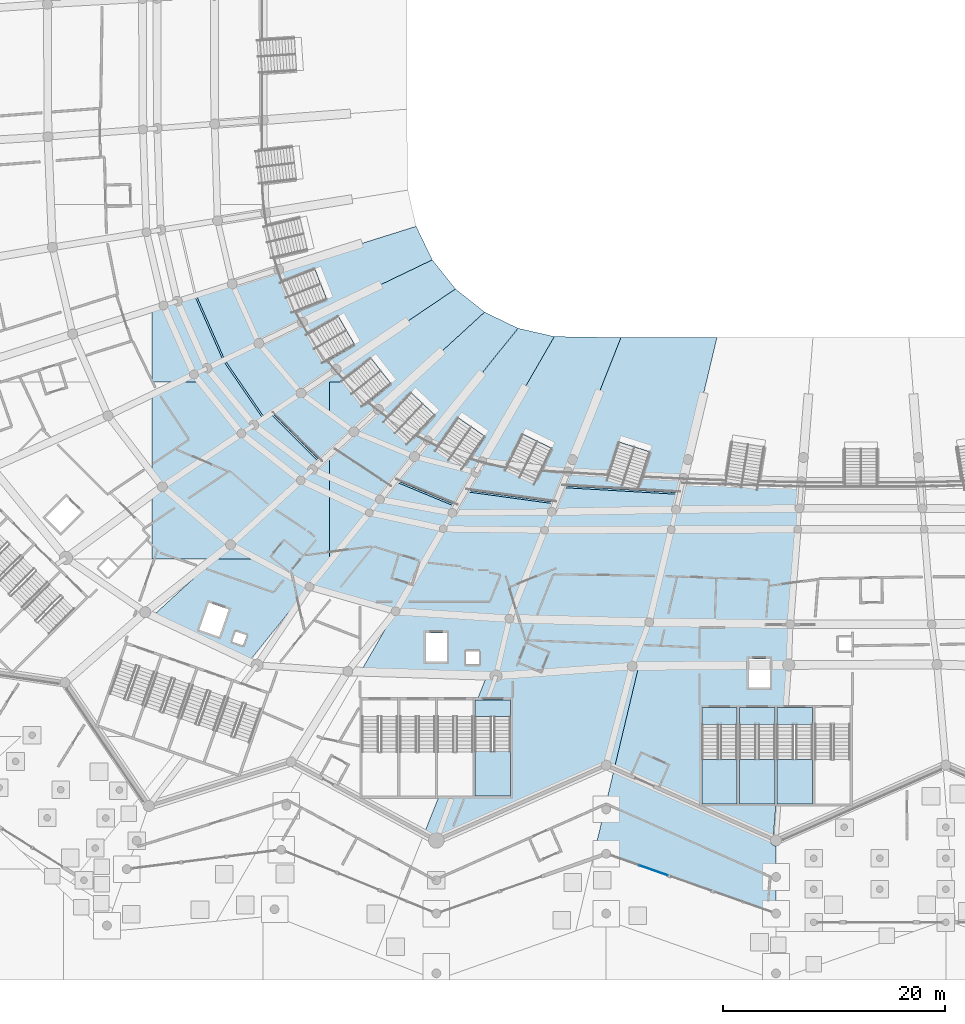
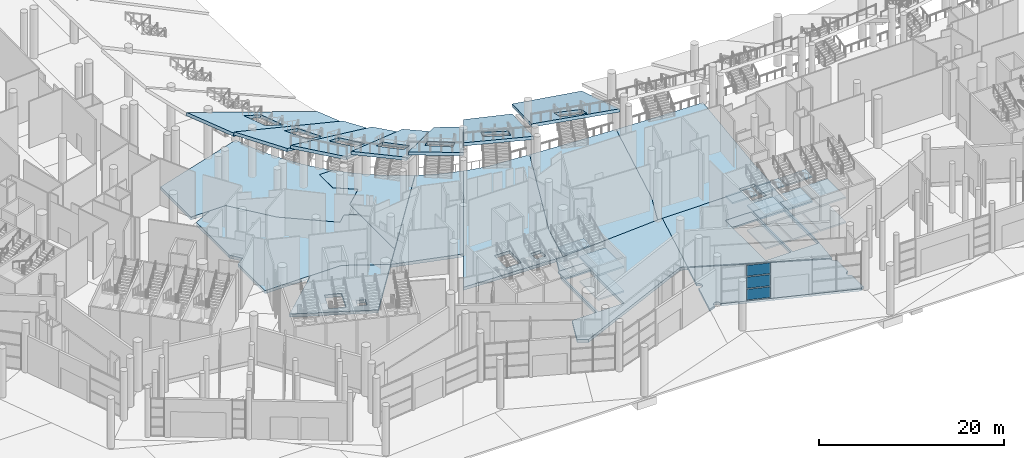
# One storey, part 73 of 255: 34 slabs, 3 plates, 5 elements without a shape of their own.
"""IFC4 building model written with IfcOpenShell, lengths in metres."""

import ifcopenshell
import ifcopenshell.guid

model = None  # the IFC model being written
_history = None  # IfcOwnerHistory: only IFC2X3 demands one
_inside = {}  # id of a spatial element -> (the spatial element, [elements in it])
_under = {}  # id of a project, library or spatial element -> (it, [spatial elements below it])
_declared = {}  # id of a project -> (the project, [libraries it declares])
_typed = {}  # id of a type object -> (the type object, [elements of that type])
_made_of = {}  # id of a material, layer set ... -> (it, [elements and type objects made of it])


def new_model(schema):
    """Start an empty IFC model of exactly this schema.

    Asked for "IFC4X3", IfcOpenShell would pick the latest addendum, in which some entities
    have other attributes; the version numbers below select the first issue.
    IFC2X3 requires an IfcOwnerHistory on every rooted entity: one is made here for all.
    """
    global model, _history
    if schema == "IFC4X3":
        model = ifcopenshell.file(schema_version=(4, 3, 0, 0))
    else:
        model = ifcopenshell.file(schema=schema)
    _inside.clear()
    _under.clear()
    _declared.clear()
    _typed.clear()
    _made_of.clear()
    _history = None
    if model.schema == "IFC2X3":
        org = make("IfcOrganization", Name="unknown")
        user = make(
            "IfcPersonAndOrganization",
            ThePerson=make("IfcPerson", FamilyName="unknown"),
            TheOrganization=org,
        )
        app = make(
            "IfcApplication",
            ApplicationDeveloper=org,
            Version="unknown",
            ApplicationFullName="unknown",
            ApplicationIdentifier="unknown",
        )
        _history = make(
            "IfcOwnerHistory",
            OwningUser=user,
            OwningApplication=app,
            ChangeAction="ADDED",
            CreationDate=0,
        )
    return model


def make(cls, **values):
    """One entity of the class cls with the attributes given. An attribute that is None is left unset."""
    return model.create_entity(
        cls, **{name: value for name, value in values.items() if value is not None}
    )


def rooted(cls, **values):
    """An entity with a GlobalId (a new one), such as an element, a storey or a relation."""
    return make(cls, GlobalId=ifcopenshell.guid.new(), OwnerHistory=_history, **values)


def si_unit(unit_type, name, prefix=None):
    """IfcSIUnit, for example si_unit("LENGTHUNIT", "METRE", prefix="MILLI")."""
    return make("IfcSIUnit", UnitType=unit_type, Prefix=prefix, Name=name)


def assignment(units):
    """IfcUnitAssignment: the units of a project."""
    return None if units is None else make("IfcUnitAssignment", Units=units)


def point(xyz):
    """IfcCartesianPoint."""
    return None if xyz is None else make("IfcCartesianPoint", Coordinates=xyz)


def direction(xyz):
    """IfcDirection."""
    return None if xyz is None else make("IfcDirection", DirectionRatios=xyz)


def frame(location, z_axis=None, x_axis=None):
    """IfcAxis2Placement3D, a coordinate frame: its origin and axes. An axis left out is left unset."""
    return make(
        "IfcAxis2Placement3D",
        Location=point(location),
        Axis=direction(z_axis),
        RefDirection=direction(x_axis),
    )


def frame_2d(location, x_axis=None):
    """IfcAxis2Placement2D, a coordinate frame in the plane: its origin and x axis."""
    return make(
        "IfcAxis2Placement2D", Location=point(location), RefDirection=direction(x_axis)
    )


def origin():
    """The frame at (0, 0, 0) with its axes left unset."""
    return frame((0.0, 0.0, 0.0))


def origin_2d():
    """The frame at (0, 0) in the plane with its x axis left unset."""
    return frame_2d((0.0, 0.0))


def place(relative_to, where):
    """IfcLocalPlacement: puts the frame where relative to a parent placement (None: the world)."""
    return make(
        "IfcLocalPlacement", PlacementRelTo=relative_to, RelativePlacement=where
    )


def context(
    kind, dimensions, precision=None, world=None, true_north=None, identifier=None
):
    """IfcGeometricRepresentationContext, for example the 3D "Model" context."""
    return make(
        "IfcGeometricRepresentationContext",
        ContextIdentifier=identifier,
        ContextType=kind,
        CoordinateSpaceDimension=dimensions,
        Precision=precision,
        WorldCoordinateSystem=world,
        TrueNorth=true_north,
    )


def subcontext(parent, identifier, kind, view, scale=None):
    """IfcGeometricRepresentationSubContext, for example "Body" below "Model"."""
    return make(
        "IfcGeometricRepresentationSubContext",
        ContextIdentifier=identifier,
        ContextType=kind,
        ParentContext=parent,
        TargetScale=scale,
        TargetView=view,
    )


def project(units=None, contexts=None):
    """IfcProject with its units and contexts."""
    return rooted(
        "IfcProject",
        Name="project",
        RepresentationContexts=contexts,
        UnitsInContext=assignment(units),
    )


def spatial(cls, under=None, at=None, **own):
    """A site, building, storey or space (cls), placed at a placement, below another one or the project."""
    s = rooted(cls, ObjectPlacement=at, **own)
    if under is not None:
        _under.setdefault(under.id(), (under, []))[1].append(s)
    return s


def polyline(points):
    """IfcPolyline through the points."""
    return make("IfcPolyline", Points=[point(p) for p in points])


def profile(cls, at=None, kind="AREA", **sizes):
    """A parametric profile (cls). Its sizes go by their IFC names, for example OverallWidth=200.0."""
    return make(cls, ProfileType=kind, Position=at, **sizes)


def rectangle(**sizes):
    """IfcRectangleProfileDef."""
    return profile("IfcRectangleProfileDef", **sizes)


def outline(outer, holes=None, kind="AREA"):
    """IfcArbitraryClosedProfileDef: a profile drawn as a closed curve; with holes, ...WithVoids."""
    if holes is None:
        return make("IfcArbitraryClosedProfileDef", ProfileType=kind, OuterCurve=outer)
    return make(
        "IfcArbitraryProfileDefWithVoids",
        ProfileType=kind,
        OuterCurve=outer,
        InnerCurves=holes,
    )


def extrude(swept, where, along, depth):
    """IfcExtrudedAreaSolid: the profile swept, set in the frame where, extruded along a direction by depth."""
    return make(
        "IfcExtrudedAreaSolid",
        SweptArea=swept,
        Position=where,
        ExtrudedDirection=direction(along),
        Depth=depth,
    )


def shape(context_of_items, identifier, shape_type, items):
    """IfcShapeRepresentation: the items that make up one representation, for example the "Body"."""
    return make(
        "IfcShapeRepresentation",
        ContextOfItems=context_of_items,
        RepresentationIdentifier=identifier,
        RepresentationType=shape_type,
        Items=items,
    )


def material(Name=None, Category=None):
    """IfcMaterial."""
    return make("IfcMaterial", Name=Name, Category=Category)


def layer(
    of_material, thickness, ventilated=None, Name=None, Category=None, Priority=None
):
    """IfcMaterialLayer: one layer of a wall or slab, of a material (None: an air gap)."""
    return make(
        "IfcMaterialLayer",
        Material=of_material,
        LayerThickness=thickness,
        IsVentilated=ventilated,
        Name=Name,
        Category=Category,
        Priority=Priority,
    )


def layer_set(layers, Name=None):
    """IfcMaterialLayerSet."""
    return make("IfcMaterialLayerSet", MaterialLayers=layers, LayerSetName=Name)


def made_of(thing, what):
    """Note that an element or type object is made of a material, layer set ...; save() writes the relation."""
    if what is not None:
        _made_of.setdefault(what.id(), (what, []))[1].append(thing)
    return thing


def type_object(cls, material=None, **own):
    """A type object (cls), such as IfcWallType, which elements share."""
    return made_of(rooted(cls, **own), material)


def element(
    cls,
    number,
    at=None,
    inside=None,
    cuts=None,
    type_object=None,
    material=None,
    context=None,
    identifier="Body",
    shape_type=None,
    held_by="IfcProductDefinitionShape",
    body=None,
    shapes=None,
    **own,
):
    """One element of the class cls, such as IfcWall. Its Tag is "e" and its number.

    at: its placement. inside: the storey or other place that contains it. cuts: it is an
    opening in that element (IfcRelVoidsElement). A single representation is given by context,
    identifier, shape_type and body (its items); several are given by shapes. held_by: the class
    of the entity that holds the representations. save() writes the other relations.
    """
    e = rooted(cls, Tag="e%d" % number, ObjectPlacement=at, **own)
    if body is not None:
        shapes = [shape(context, identifier, shape_type, body)]
    if shapes is not None:
        e.Representation = make(held_by, Representations=shapes)
    if inside is not None:
        _inside.setdefault(inside.id(), (inside, []))[1].append(e)
    if cuts is not None:
        rooted(
            "IfcRelVoidsElement", RelatingBuildingElement=cuts, RelatedOpeningElement=e
        )
    if type_object is not None:
        _typed.setdefault(type_object.id(), (type_object, []))[1].append(e)
    return made_of(e, material)


def aggregate(whole, parts):
    """IfcRelAggregates: a whole, such as a stair, and the parts it consists of."""
    return rooted("IfcRelAggregates", RelatingObject=whole, RelatedObjects=parts)


def save(model, path):
    """Write the relations noted so far, then the file.

    IfcRelAggregates (storeys below a building ...), IfcRelContainedInSpatialStructure (elements
    in a storey), IfcRelDefinesByType, IfcRelAssociatesMaterial and IfcRelDeclares: one each for
    every whole, place, type object, material and project.
    """
    for whole, parts in _under.values():
        aggregate(whole, parts)
    for where, things in _inside.values():
        rooted(
            "IfcRelContainedInSpatialStructure",
            RelatedElements=things,
            RelatingStructure=where,
        )
    for kind, things in _typed.values():
        rooted("IfcRelDefinesByType", RelatedObjects=things, RelatingType=kind)
    for what, things in _made_of.values():
        rooted("IfcRelAssociatesMaterial", RelatedObjects=things, RelatingMaterial=what)
    for by, libraries in _declared.values():
        rooted("IfcRelDeclares", RelatingContext=by, RelatedDefinitions=libraries)
    model.write(path)


model = new_model("IFC4")

# Units and contexts
model_context = context("Model", 3, precision=1e-05, world=origin(), true_north=direction((0.0, 1.0)))
body_context = subcontext(model_context, "Body", "Model", "MODEL_VIEW")
ifc_project = project(units=[si_unit("LENGTHUNIT", "METRE"), si_unit("AREAUNIT", "SQUARE_METRE"), si_unit("VOLUMEUNIT", "CUBIC_METRE"), si_unit("PLANEANGLEUNIT", "RADIAN"), si_unit("MASSUNIT", "GRAM", prefix="KILO")], contexts=[model_context])

# Site, building, storey
site_placement = place(None, origin())
site = spatial("IfcSite", under=ifc_project, at=site_placement, CompositionType="ELEMENT")
building_placement = place(site_placement, origin())
building = spatial("IfcBuilding", under=site, at=building_placement, Name="Meseta Stadium", CompositionType="ELEMENT")
storey_placement = place(building_placement, origin())
storey = spatial("IfcBuildingStorey", under=building, at=storey_placement, Name="L00", CompositionType="ELEMENT", Elevation=0.0)

# Slabs
ifc_material_1 = material(Name="Concrete C40/50", Category="concrete")
ifc_layer_1 = layer(ifc_material_1, 0.39990234375)
ifc_layer_set_1 = layer_set([ifc_layer_1], Name="Floor slab 400")
slab_type_1 = type_object("IfcSlabType", Name="Floor slab 400", PredefinedType="FLOOR", material=ifc_layer_set_1)
slab_1_placement = place(storey_placement, frame((0.0, 0.0, -0.39990234375)))
element("IfcSlab", 1, at=slab_1_placement, inside=storey, type_object=slab_type_1, Name="Floor slab L00 sector 35 panel 17", PredefinedType="FLOOR", context=body_context, shape_type="SweptSolid", body=[
    extrude(outline(polyline([(-49.800048828125, -82.493896484375), (-47.787353515625, -80.0), (-48.0, -80.0), (-48.0, -72.59619140625), (-49.518310546875, -71.924560546875), (-50.571533203125, -72.888916015625), (-55.940185546875, -68.658203125), (-59.68408203125, -64.0), (-61.614013671875, -64.0), (-64.0, -65.1474609375), (-64.0, -72.251708984375), (-63.068115234375, -73.469970703125), (-64.0, -74.15673828125), (-64.0, -80.0), (-54.4716796875, -80.0), (-49.800048828125, -82.493896484375)])), origin(), (0.0, 0.0, 1.0), 0.39990234375),
])
slab_2_placement = place(storey_placement, frame((0.0, 0.0, -0.39990234375)))
element("IfcSlab", 2, at=slab_2_placement, inside=storey, type_object=slab_type_1, Name="Floor slab L00 sector 35 panel 18", PredefinedType="FLOOR", context=body_context, shape_type="SweptSolid", body=[
    extrude(outline(polyline([(-63.932373046875, -85.119384765625), (-55.242919921875, -89.238037109375), (-49.800048828125, -82.493896484375), (-54.4716796875, -80.0), (-58.33984375, -80.0), (-63.932373046875, -85.119384765625)]), holes=[polyline([(-58.876953125, -83.924072265625), (-57.08349609375, -84.551513671875), (-57.9423828125, -87.005615234375), (-59.735595703125, -86.378173828125), (-58.876953125, -83.924072265625)]), polyline([(-56.44873046875, -86.521728515625), (-55.45751953125, -86.86865234375), (-55.787841796875, -87.8125), (-56.779052734375, -87.4658203125), (-56.44873046875, -86.521728515625)])]), origin(), (0.0, 0.0, 1.0), 0.39990234375),
])
slab_3_placement = place(storey_placement, frame((0.0, 0.0, -0.39990234375)))
element("IfcSlab", 3, at=slab_3_placement, inside=storey, type_object=slab_type_1, Name="Floor slab L00 sector 35 panel 20", PredefinedType="FLOOR", context=body_context, shape_type="SweptSolid", body=[
    extrude(outline(polyline([(-48.0, -66.880615234375), (-48.0, -64.0), (-46.34521484375, -64.0), (-46.79638671875, -63.5302734375), (-47.38134765625, -62.880126953125), (-47.944580078125, -62.211669921875), (-48.485595703125, -61.52490234375), (-49.003662109375, -60.8212890625), (-49.49853515625, -60.101318359375), (-49.969482421875, -59.365478515625), (-50.41650390625, -58.61474609375), (-50.83837890625, -57.85009765625), (-51.2353515625, -57.072021484375), (-51.6064453125, -56.281494140625), (-51.951904296875, -55.479248046875), (-52.270751953125, -54.666259765625), (-52.562744140625, -53.843505859375), (-64.0, -57.42919921875), (-64.0, -64.0), (-59.68408203125, -64.0), (-55.940185546875, -68.658203125), (-50.571533203125, -72.888916015625), (-49.518310546875, -71.924560546875), (-48.0, -72.59619140625), (-48.0, -70.53466796875), (-45.777099609375, -68.499755859375), (-48.0, -66.880615234375)])), origin(), (0.0, 0.0, 1.0), 0.39990234375),
])
slab_4_placement = place(storey_placement, frame((0.0, 0.0, -0.39990234375)))
element("IfcSlab", 4, at=slab_4_placement, inside=storey, type_object=slab_type_1, Name="Floor slab L00 sector 35 panel 21", PredefinedType="FLOOR", context=body_context, shape_type="SweptSolid", body=[
    extrude(outline(polyline([(-46.190673828125, -64.1611328125), (-46.3369140625, -64.0087890625), (-46.337646484375, -64.00927734375), (-46.338623046875, -64.010009765625), (-46.339599609375, -64.010498046875), (-46.3408203125, -64.010986328125), (-46.341796875, -64.011474609375), (-46.343017578125, -64.01171875), (-46.343994140625, -64.011962890625), (-46.34521484375, -64.011962890625), (-47.988037109375, -64.011962890625), (-47.988037109375, -66.87451171875), (-45.77001953125, -68.489990234375), (-45.76904296875, -68.49072265625), (-45.768310546875, -68.49169921875), (-45.767578125, -68.49267578125), (-45.766845703125, -68.49365234375), (-45.766357421875, -68.49462890625), (-45.765869140625, -68.49560546875), (-45.765380859375, -68.496826171875), (-45.76513671875, -68.498046875), (-45.76513671875, -68.4990234375), (-45.76513671875, -68.500244140625), (-45.76513671875, -68.50146484375), (-45.765380859375, -68.502685546875), (-45.765869140625, -68.50390625), (-45.76611328125, -68.5048828125), (-45.766845703125, -68.505859375), (-45.767333984375, -68.5068359375), (-45.768310546875, -68.5078125), (-45.76904296875, -68.5087890625), (-47.988037109375, -70.5400390625), (-47.988037109375, -72.59619140625), (-47.988037109375, -72.597412109375), (-47.98828125, -72.5986328125), (-47.988525390625, -72.599609375), (-47.989013671875, -72.600830078125), (-47.989501953125, -72.601806640625), (-47.989990234375, -72.602783203125), (-47.99072265625, -72.60400390625), (-47.99169921875, -72.604736328125), (-47.992431640625, -72.605712890625), (-47.993408203125, -72.606201171875), (-47.994384765625, -72.60693359375), (-47.99560546875, -72.607421875), (-47.99658203125, -72.607666015625), (-47.997802734375, -72.60791015625), (-47.9990234375, -72.608154296875), (-48.0, -72.608154296875), (-48.0, -80.0), (-47.787353515625, -80.0), (-39.127685546875, -69.27001953125), (-39.898193359375, -68.869384765625), (-40.663818359375, -68.439208984375), (-41.414306640625, -67.984619140625), (-42.1494140625, -67.505859375), (-42.867919921875, -67.00390625), (-43.5693359375, -66.478759765625), (-44.253173828125, -65.931396484375), (-44.918212890625, -65.3623046875), (-45.564453125, -64.77197265625), (-46.190673828125, -64.1611328125)])), origin(), (0.0, 0.0, 1.0), 0.39990234375),
])
slab_5_placement = place(storey_placement, frame((0.0, 0.0, -0.39990234375)))
element("IfcSlab", 5, at=slab_5_placement, inside=storey, type_object=slab_type_1, Name="Floor slab L00 sector 42 panel 04", PredefinedType="FLOOR", context=body_context, shape_type="SweptSolid", body=[
    extrude(outline(polyline([(-39.109375, -69.279052734375), (-49.78076171875, -82.501708984375), (-42.015380859375, -84.707275390625), (-34.185302734375, -71.16064453125), (-35.033935546875, -70.9130859375), (-35.873291015625, -70.638427734375), (-36.701904296875, -70.3369140625), (-37.519775390625, -70.0087890625), (-38.325439453125, -69.654541015625), (-39.109375, -69.279052734375)])), origin(), (0.0, 0.0, 1.0), 0.39990234375),
])
slab_6_placement = place(storey_placement, frame((0.0, 0.0, -0.39990234375)))
element("IfcSlab", 6, at=slab_6_placement, inside=storey, type_object=slab_type_1, Name="Floor slab L00 sector 42 panel 05", PredefinedType="FLOOR", context=body_context, shape_type="SweptSolid", body=[
    extrude(outline(polyline([(-32.944091796875, -90.551025390625), (-31.73681640625, -85.376708984375), (-26.461669921875, -72.08349609375), (-28.178466796875, -71.9716796875), (-29.8876953125, -71.856201171875), (-31.589111328125, -71.7373046875), (-32.4619140625, -71.572998046875), (-33.32763671875, -71.380615234375), (-34.185302734375, -71.16064453125), (-45.169189453125, -90.1630859375), (-32.944091796875, -90.551025390625)]), holes=[polyline([(-39.283203125, -86.651123046875), (-37.38330078125, -86.651123046875), (-37.38330078125, -89.251220703125), (-39.283203125, -89.251220703125), (-39.283203125, -86.651123046875)]), polyline([(-34.4833984375, -89.501220703125), (-35.683349609375, -89.501220703125), (-35.683349609375, -88.301025390625), (-34.4833984375, -88.301025390625), (-34.4833984375, -89.501220703125)])]), origin(), (0.0, 0.0, 1.0), 0.39990234375),
])
slab_7_placement = place(storey_placement, frame((0.0, 0.0, -0.39990234375)))
element("IfcSlab", 7, at=slab_7_placement, inside=storey, type_object=slab_type_1, Name="Floor slab L00 sector 42 panel 06", PredefinedType="FLOOR", context=body_context, shape_type="SweptSolid", body=[
    extrude(outline(polyline([(-35.033203125, -93.683837890625), (-35.033203125, -101.39990234375), (-38.09521484375, -101.39990234375), (-39.443603515625, -104.798095703125), (-38.333251953125, -105.39990234375), (-23.0, -98.60009765625), (-22.267822265625, -98.9248046875), (-20.059814453125, -89.651611328125), (-20.649658203125, -89.65625), (-32.944091796875, -90.551025390625), (-33.779541015625, -90.524658203125), (-34.642822265625, -92.699951171875), (-31.63330078125, -92.699951171875), (-31.63330078125, -101.39990234375), (-34.833251953125, -101.39990234375), (-34.833251953125, -93.179931640625), (-35.033203125, -93.683837890625)])), origin(), (0.0, 0.0, 1.0), 0.39990234375),
])
slab_8_placement = place(storey_placement, frame((0.0, 0.0, -0.39990234375)))
element("IfcSlab", 8, at=slab_8_placement, inside=storey, type_object=slab_type_1, Name="Floor slab L00 sector 42 panel 07", PredefinedType="FLOOR", context=body_context, shape_type="SweptSolid", body=[
    extrude(outline(polyline([(-20.649658203125, -89.65625), (-19.11865234375, -85.6982421875), (-16.010986328125, -72.646484375), (-17.769287109375, -72.567626953125), (-19.521240234375, -72.482177734375), (-21.266845703125, -72.390625), (-23.005615234375, -72.293212890625), (-24.7373046875, -72.190673828125), (-26.461669921875, -72.08349609375), (-31.73681640625, -85.376708984375), (-32.944091796875, -90.551025390625), (-20.649658203125, -89.65625)])), origin(), (0.0, 0.0, 1.0), 0.39990234375),
])
slab_9_placement = place(storey_placement, frame((0.0, 0.0, -0.39990234375)))
element("IfcSlab", 9, at=slab_9_placement, inside=storey, type_object=slab_type_1, Name="Floor slab L00 sector 42 panel 08", PredefinedType="FLOOR", context=body_context, shape_type="SweptSolid", body=[
    extrude(outline(polyline([(-20.059814453125, -89.651611328125), (-22.267822265625, -98.9248046875), (-7.92724609375, -105.284423828125), (-7.566650390625, -100.740478515625), (-7.566650390625, -93.39990234375), (-6.984130859375, -93.39990234375), (-6.678466796875, -89.547607421875), (-8.216796875, -89.5595703125), (-8.216796875, -91.60009765625), (-10.11669921875, -91.60009765625), (-10.11669921875, -89.574462890625), (-20.059814453125, -89.651611328125)]), holes=[polyline([(-10.966796875, -93.39990234375), (-7.7666015625, -93.39990234375), (-7.7666015625, -102.10009765625), (-10.966796875, -102.10009765625), (-10.966796875, -93.39990234375)]), polyline([(-14.36669921875, -93.39990234375), (-11.166748046875, -93.39990234375), (-11.166748046875, -102.10009765625), (-14.36669921875, -102.10009765625), (-14.36669921875, -93.39990234375)])]), origin(), (0.0, 0.0, 1.0), 0.39990234375),
])
slab_10_placement = place(storey_placement, frame((0.0, 0.0, -0.39990234375)))
element("IfcSlab", 10, at=slab_10_placement, inside=storey, type_object=slab_type_1, Name="Floor slab L00 sector 42 panel 09", PredefinedType="FLOOR", context=body_context, shape_type="SweptSolid", body=[
    extrude(outline(polyline([(-19.11865234375, -85.6982421875), (-20.649658203125, -89.65625), (-10.11669921875, -89.574462890625), (-10.11669921875, -89.0), (-8.216796875, -89.0), (-8.216796875, -89.5595703125), (-6.51708984375, -89.54638671875), (-6.386962890625, -85.876708984375), (-5.36181640625, -72.959228515625), (-7.145751953125, -72.927734375), (-8.927001953125, -72.8876953125), (-10.70458984375, -72.83935546875), (-12.478271484375, -72.78271484375), (-14.247314453125, -72.71826171875), (-16.010986328125, -72.646484375), (-19.11865234375, -85.6982421875)])), origin(), (0.0, 0.0, 1.0), 0.39990234375),
])

# Curtain wall, plates
ifc_material_2 = material(Name="Aluminium", Category="aluminium")
ifc_layer_2 = layer(ifc_material_2, 0.199951171875)
ifc_layer_set_2 = layer_set([ifc_layer_2], Name="Ring shopfront curtain wall")
curtain_wall_type = type_object("IfcCurtainWallType", Name="Ring shopfront curtain wall", PredefinedType="NOTDEFINED", material=ifc_layer_set_2)
curtain_wall_placement = place(storey_placement, origin())
curtain_wall = element("IfcCurtainWall", 11, at=curtain_wall_placement, inside=storey, type_object=curtain_wall_type, Name="Shopfront glazing F45a", PredefinedType="NOTDEFINED")
ifc_material_3 = material(Name="Glass", Category="glass")
ifc_layer_3 = layer(ifc_material_3, 0.035888671875)
ifc_layer_set_3 = layer_set([ifc_layer_3], Name="Ring CW glass panel 36")
plate_type = type_object("IfcPlateType", Name="Ring CW glass panel 36", PredefinedType="CURTAIN_PANEL", material=ifc_layer_set_3)
plate_1_placement = place(storey_placement, frame((-18.72607421875, -108.105224609375, 0.150146484375), z_axis=(0.0, 0.0, 1.0), x_axis=(0.94321953488, -0.332170000181, 0.0)))
plate_1 = element("IfcPlate", 12, at=plate_1_placement, type_object=plate_type, Name="CWR1 panel 2.1", PredefinedType="CURTAIN_PANEL", context=body_context, shape_type="SweptSolid", body=[
    extrude(rectangle(XDim=2.674072265625, YDim=0.035888671875, at=origin_2d()), origin(), (0.0, 0.0, 1.0), 1.3916015625),
])
plate_2_placement = place(storey_placement, frame((-18.72607421875, -108.105224609375, 1.69189453125), z_axis=(0.0, 0.0, 1.0), x_axis=(0.94321953488, -0.332170000181, 0.0)))
plate_2 = element("IfcPlate", 13, at=plate_2_placement, type_object=plate_type, Name="CWR1 panel 2.2", PredefinedType="CURTAIN_PANEL", context=body_context, shape_type="SweptSolid", body=[
    extrude(rectangle(XDim=2.674072265625, YDim=0.035888671875, at=origin_2d()), origin(), (0.0, 0.0, 1.0), 1.466552734375),
])
plate_3_placement = place(storey_placement, frame((-18.72607421875, -108.105224609375, 3.308349609375), z_axis=(0.0, 0.0, 1.0), x_axis=(0.94321953488, -0.332170000181, 0.0)))
plate_3 = element("IfcPlate", 14, at=plate_3_placement, type_object=plate_type, Name="CWR1 panel 2.3", PredefinedType="CURTAIN_PANEL", context=body_context, shape_type="SweptSolid", body=[
    extrude(rectangle(XDim=2.674072265625, YDim=0.035888671875, at=origin_2d()), origin(), (0.0, 0.0, 1.0), 1.3916015625),
])
aggregate(curtain_wall, [plate_1, plate_2, plate_3])

# Slabs
ifc_material_4 = material(Name="Concrete C30/37", Category="concrete")
ifc_layer_4 = layer(ifc_material_4, 0.300048828125)
ifc_layer_set_4 = layer_set([ifc_layer_4], Name="Ring grade slab 300")
slab_type_2 = type_object("IfcSlabType", Name="Ring grade slab 300", PredefinedType="BASESLAB", material=ifc_layer_set_4)
slab_11_placement = place(storey_placement, frame((0.0, 0.0, -0.300048828125)))
element("IfcSlab", 15, at=slab_11_placement, inside=storey, type_object=slab_type_2, Name="Ring ground floor slab 6 panel 04", PredefinedType="BASESLAB", context=body_context, shape_type="SweptSolid", body=[
    extrude(outline(polyline([(-22.6103515625, -106.49560546875), (-22.596435546875, -106.60009765625), (-22.6103515625, -106.704345703125), (-22.622314453125, -106.733154296875), (-8.04443359375, -111.866943359375), (-8.01611328125, -111.79833984375), (-7.951904296875, -111.714599609375), (-7.868408203125, -111.650634765625), (-7.77099609375, -111.6103515625), (-7.666748046875, -111.596435546875), (-7.666748046875, -109.103515625), (-7.77099609375, -109.089599609375), (-7.868408203125, -109.04931640625), (-7.951904296875, -108.9853515625), (-8.01611328125, -108.901611328125), (-8.056396484375, -108.804443359375), (-8.070068359375, -108.699951171875), (-8.056396484375, -108.595703125), (-8.01611328125, -108.498291015625), (-7.951904296875, -108.414794921875), (-7.868408203125, -108.3505859375), (-7.77099609375, -108.310302734375), (-7.666748046875, -108.29638671875), (-7.666748046875, -105.904296875), (-7.797119140625, -105.88720703125), (-7.918701171875, -105.836669921875), (-8.023193359375, -105.756591796875), (-8.103515625, -105.652099609375), (-8.15380859375, -105.530517578125), (-8.1708984375, -105.39990234375), (-8.16357421875, -105.34375), (-22.302978515625, -99.072998046875), (-23.04833984375, -102.202880859375), (-23.0, -102.196533203125), (-22.8955078125, -102.210205078125), (-22.79833984375, -102.25048828125), (-22.714599609375, -102.314697265625), (-22.650634765625, -102.398193359375), (-22.6103515625, -102.49560546875), (-22.596435546875, -102.60009765625), (-22.6103515625, -102.704345703125), (-22.650634765625, -102.8017578125), (-22.714599609375, -102.88525390625), (-22.79833984375, -102.949462890625), (-22.8955078125, -102.98974609375), (-23.0, -103.00341796875), (-23.1044921875, -102.98974609375), (-23.20166015625, -102.949462890625), (-23.222412109375, -102.93359375), (-24.195556640625, -107.02099609375), (-23.377685546875, -106.733154296875), (-23.3896484375, -106.704345703125), (-23.403564453125, -106.60009765625), (-23.3896484375, -106.49560546875), (-23.349365234375, -106.398193359375), (-23.285400390625, -106.314697265625), (-23.20166015625, -106.25048828125), (-23.1044921875, -106.210205078125), (-23.0, -106.196533203125), (-22.8955078125, -106.210205078125), (-22.79833984375, -106.25048828125), (-22.714599609375, -106.314697265625), (-22.650634765625, -106.398193359375), (-22.6103515625, -106.49560546875)])), origin(), (0.0, 0.0, 1.0), 0.300048828125),
])
ifc_material_5 = material(Name="Concrete C40/50", Category="concrete")
ifc_layer_5 = layer(ifc_material_5, 0.35009765625)
ifc_layer_set_5 = layer_set([ifc_layer_5], Name="Seating tier 350")
slab_type_3 = type_object("IfcSlabType", Name="Seating tier 350", PredefinedType="USERDEFINED", material=ifc_layer_set_5)
slab_12_placement = place(storey_placement, frame((-40.158203125, -49.9541015625, -2.9375), z_axis=(0.422641018675, 0.166701135979, 0.890834047731), x_axis=(-0.850484526748, -0.266658542421, 0.453397498357)))
element("IfcSlab", 16, at=slab_12_placement, inside=storey, type_object=slab_type_3, Name="Stand lower tier bay 39", ObjectType="SEATING TIER", PredefinedType="USERDEFINED", context=body_context, shape_type="SweptSolid", body=[
    extrude(outline(polyline([(0.0, 0.0), (23.336619475349053, 3.3306690738754696e-16), (22.65404535629635, 6.32106455135219), (-0.48905819518367755, 3.325507028528862), (0.0, 0.0)]), holes=[polyline([(11.13623046875, 0.89306640625), (14.496826171875, 1.1083984375), (14.304931640625, 4.102294921875), (10.9443359375, 3.886962890625), (11.13623046875, 0.89306640625)])]), origin(), (0.0, 0.0, -1.0), 0.35009765625),
])
slab_13_placement = place(storey_placement, frame((-38.700927734375, -52.98046875, -2.869384765625), z_axis=(0.394242900943, 0.225801935585, 0.89083445204), x_axis=(-0.803245238357, -0.38630121347, 0.453396580851)))
element("IfcSlab", 17, at=slab_13_placement, inside=storey, type_object=slab_type_3, Name="Stand lower tier bay 40", ObjectType="SEATING TIER", PredefinedType="USERDEFINED", context=body_context, shape_type="SweptSolid", body=[
    extrude(outline(polyline([(0.0, 0.0), (23.33638659281297, -1.6653345369377348e-16), (22.35372716186928, 6.293861752054063), (-0.7861156842872723, 3.2761460044474635), (0.0, 0.0)]), holes=[polyline([(11.0986328125, 0.881103515625), (14.45947265625, 1.096923828125), (14.26708984375, 4.090576171875), (10.90625, 3.875), (11.0986328125, 0.881103515625)])]), origin(), (0.0, 0.0, -1.0), 0.35009765625),
])
slab_14_placement = place(storey_placement, frame((-36.606689453125, -55.606689453125, -2.8037109375), z_axis=(0.357150967709, 0.280812233792, 0.890835380762), x_axis=(-0.738745039044, -0.498702395316, 0.45337808526)))
element("IfcSlab", 18, at=slab_14_placement, inside=storey, type_object=slab_type_3, Name="Stand lower tier bay 41", ObjectType="SEATING TIER", PredefinedType="USERDEFINED", context=body_context, shape_type="SweptSolid", body=[
    extrude(outline(polyline([(0.0, 0.0), (22.43868677198748, -3.885780586188048e-15), (21.170467404708283, 6.147217731917814), (-1.0736921872736087, 3.206894418244401), (0.0, 0.0)]), holes=[polyline([(11.065673828125, 0.86376953125), (14.426513671875, 1.080810546875), (14.232666015625, 4.07470703125), (10.872314453125, 3.857421875), (11.065673828125, 0.86376953125)])]), origin(), (0.0, 0.0, -1.0), 0.35009765625),
])
slab_15_placement = place(storey_placement, frame((-33.98046875, -57.700927734375, -2.740966796875), z_axis=(0.311713812107, 0.330528440773, 0.890834131128), x_axis=(-0.65745567111, -0.601846993911, 0.453356632736)))
element("IfcSlab", 19, at=slab_15_placement, inside=storey, type_object=slab_type_3, Name="Stand lower tier bay 42", ObjectType="SEATING TIER", PredefinedType="USERDEFINED", context=body_context, shape_type="SweptSolid", body=[
    extrude(outline(polyline([(0.0, 0.0), (20.643306407497345, 0.0), (19.111844293125777, 5.870829590966607), (-1.3435561067741895, 3.110771819460034), (0.0, 0.0)]), holes=[polyline([(11.03955078125, 0.843505859375), (14.400146484375, 1.063720703125), (14.203857421875, 4.05712890625), (10.84326171875, 3.8369140625), (11.03955078125, 0.843505859375)])]), origin(), (0.0, 0.0, -1.0), 0.35009765625),
])
slab_16_placement = place(storey_placement, frame((-30.944580078125, -59.160400390625, -2.6845703125), z_axis=(0.25802172586, 0.373953437152, 0.890833102117), x_axis=(-0.559765936326, -0.693661753357, 0.45331608008)))
element("IfcSlab", 20, at=slab_16_placement, inside=storey, type_object=slab_type_3, Name="Stand lower tier bay 43", ObjectType="SEATING TIER", PredefinedType="USERDEFINED", context=body_context, shape_type="SweptSolid", body=[
    extrude(outline(polyline([(0.0, 0.0), (19.747030336705038, -1.1657341758564144e-15), (17.95854788499626, 5.727125076285558), (-1.5975477487779866, 3.0108095509157433), (0.0, 0.0)]), holes=[polyline([(10.91552734375, 0.806884765625), (14.275634765625, 1.031494140625), (14.0751953125, 4.02490234375), (10.715087890625, 3.800048828125), (10.91552734375, 0.806884765625)])]), origin(), (0.0, 0.0, -1.0), 0.35009765625),
])
slab_17_placement = place(storey_placement, frame((-27.679443359375, -59.90576171875, -2.35009765625), z_axis=(0.198981346386, 0.408437822455, 0.890833861603), x_axis=(-0.446041887283, -0.771655098014, 0.453425897471)))
element("IfcSlab", 21, at=slab_17_placement, inside=storey, type_object=slab_type_3, Name="Stand lower tier bay 44", ObjectType="SEATING TIER", PredefinedType="USERDEFINED", context=body_context, shape_type="SweptSolid", body=[
    extrude(outline(polyline([(0.0, 0.0), (17.951414503208895, -3.885780586188048e-16), (14.599016820204229, 7.589965806768303), (-3.1985596216575116, 5.255482313429839), (0.0, 0.0)]), holes=[polyline([(10.225341796875, 1.896728515625), (13.586181640625, 2.10888671875), (13.397216796875, 5.10302734375), (10.036376953125, 4.890869140625), (10.225341796875, 1.896728515625)])]), origin(), (0.0, 0.0, -1.0), 0.35009765625),
])
slab_18_placement = place(storey_placement, frame((-21.666748046875, -60.0, -2.331298828125), z_axis=(0.137451418918, 0.433035703095, 0.890835106674), x_axis=(-0.328741495717, -0.828448930198, 0.45343290468)))
element("IfcSlab", 22, at=slab_18_placement, inside=storey, type_object=slab_type_3, Name="Stand lower tier bay 45", ObjectType="SEATING TIER", PredefinedType="USERDEFINED", context=body_context, shape_type="SweptSolid", body=[
    extrude(outline(polyline([(0.0, 0.0), (16.156338653896373, -2.220446049250313e-16), (12.56708193897057, 10.127599094896123), (-3.4555419453858436, 8.059801274151383), (0.0, 0.0)]), holes=[polyline([(9.986328125, 3.279541015625), (13.347412109375, 3.490478515625), (13.159423828125, 6.484619140625), (9.79833984375, 6.2734375), (9.986328125, 3.279541015625)])]), origin(), (0.0, 0.0, -1.0), 0.35009765625),
])

# Stair, slabs
ifc_material_6 = material(Name="Concrete C40/50", Category="concrete")
stair_type = type_object("IfcStairType", Name="Exit stair 4 flights 148 mm risers", PredefinedType="HALF_TURN_STAIR", material=ifc_material_6)
stair_1_placement = place(storey_placement, origin())
stair_1 = element("IfcStair", 23, at=stair_1_placement, inside=storey, type_object=stair_type, Name="ST92 L00", PredefinedType="HALF_TURN_STAIR")
ifc_material_7 = material(Name="Concrete C40/50", Category="concrete")
ifc_layer_6 = layer(ifc_material_7, 0.199951171875)
ifc_layer_set_6 = layer_set([ifc_layer_6], Name="Stair landing 200")
slab_type_4 = type_object("IfcSlabType", Name="Stair landing 200", PredefinedType="LANDING", material=ifc_layer_set_6)
slab_19_placement = place(storey_placement, frame((0.0, 0.0, 1.425048828125)))
slab_19 = element("IfcSlab", 24, at=slab_19_placement, type_object=slab_type_4, Name="ST92 L00 landing 1", PredefinedType="LANDING", context=body_context, shape_type="SweptSolid", body=[
    extrude(outline(polyline([(-34.833251953125, -97.389892578125), (-34.833251953125, -101.39990234375), (-31.63330078125, -101.39990234375), (-31.63330078125, -97.389892578125), (-34.833251953125, -97.389892578125)])), origin(), (0.0, 0.0, 1.0), 0.199951171875),
])
slab_20_placement = place(storey_placement, frame((0.0, 0.0, 3.050048828125)))
slab_20 = element("IfcSlab", 25, at=slab_20_placement, type_object=slab_type_4, Name="ST92 L00 landing 2", PredefinedType="LANDING", context=body_context, shape_type="SweptSolid", body=[
    extrude(outline(polyline([(-34.833251953125, -92.699951171875), (-34.833251953125, -94.2099609375), (-31.63330078125, -94.2099609375), (-31.63330078125, -92.699951171875), (-34.833251953125, -92.699951171875)])), origin(), (0.0, 0.0, 1.0), 0.199951171875),
])
slab_21_placement = place(storey_placement, frame((0.0, 0.0, 4.675048828125)))
slab_21 = element("IfcSlab", 26, at=slab_21_placement, type_object=slab_type_4, Name="ST92 L00 landing 3", PredefinedType="LANDING", context=body_context, shape_type="SweptSolid", body=[
    extrude(outline(polyline([(-34.833251953125, -97.389892578125), (-34.833251953125, -101.39990234375), (-31.63330078125, -101.39990234375), (-31.63330078125, -97.389892578125), (-34.833251953125, -97.389892578125)])), origin(), (0.0, 0.0, 1.0), 0.199951171875),
])
slab_22_placement = place(storey_placement, frame((0.0, 0.0, -0.199951171875)))
slab_22 = element("IfcSlab", 27, at=slab_22_placement, type_object=slab_type_4, Name="ST92 L00 landing 4", PredefinedType="LANDING", context=body_context, shape_type="SweptSolid", body=[
    extrude(outline(polyline([(-34.833251953125, -92.699951171875), (-34.833251953125, -94.2099609375), (-31.63330078125, -94.2099609375), (-31.63330078125, -92.699951171875), (-34.833251953125, -92.699951171875)])), origin(), (0.0, 0.0, 1.0), 0.199951171875),
])
aggregate(stair_1, [slab_19, slab_20, slab_21, slab_22])

stair_2_placement = place(storey_placement, origin())
stair_2 = element("IfcStair", 28, at=stair_2_placement, inside=storey, type_object=stair_type, Name="ST93 L00", PredefinedType="HALF_TURN_STAIR")
slab_23_placement = place(storey_placement, frame((0.0, 0.0, 1.425048828125)))
slab_23 = element("IfcSlab", 29, at=slab_23_placement, type_object=slab_type_4, Name="ST93 L00 landing 1", PredefinedType="LANDING", context=body_context, shape_type="SweptSolid", body=[
    extrude(outline(polyline([(-14.36669921875, -98.090087890625), (-14.36669921875, -102.10009765625), (-11.166748046875, -102.10009765625), (-11.166748046875, -98.090087890625), (-14.36669921875, -98.090087890625)])), origin(), (0.0, 0.0, 1.0), 0.199951171875),
])
slab_24_placement = place(storey_placement, frame((0.0, 0.0, 3.050048828125)))
slab_24 = element("IfcSlab", 30, at=slab_24_placement, type_object=slab_type_4, Name="ST93 L00 landing 2", PredefinedType="LANDING", context=body_context, shape_type="SweptSolid", body=[
    extrude(outline(polyline([(-14.36669921875, -93.39990234375), (-14.36669921875, -94.909912109375), (-11.166748046875, -94.909912109375), (-11.166748046875, -93.39990234375), (-14.36669921875, -93.39990234375)])), origin(), (0.0, 0.0, 1.0), 0.199951171875),
])
slab_25_placement = place(storey_placement, frame((0.0, 0.0, 4.675048828125)))
slab_25 = element("IfcSlab", 31, at=slab_25_placement, type_object=slab_type_4, Name="ST93 L00 landing 3", PredefinedType="LANDING", context=body_context, shape_type="SweptSolid", body=[
    extrude(outline(polyline([(-14.36669921875, -98.090087890625), (-14.36669921875, -102.10009765625), (-11.166748046875, -102.10009765625), (-11.166748046875, -98.090087890625), (-14.36669921875, -98.090087890625)])), origin(), (0.0, 0.0, 1.0), 0.199951171875),
])
slab_26_placement = place(storey_placement, frame((0.0, 0.0, -0.199951171875)))
slab_26 = element("IfcSlab", 32, at=slab_26_placement, type_object=slab_type_4, Name="ST93 L00 landing 4", PredefinedType="LANDING", context=body_context, shape_type="SweptSolid", body=[
    extrude(outline(polyline([(-14.36669921875, -93.39990234375), (-14.36669921875, -94.909912109375), (-11.166748046875, -94.909912109375), (-11.166748046875, -93.39990234375), (-14.36669921875, -93.39990234375)])), origin(), (0.0, 0.0, 1.0), 0.199951171875),
])
aggregate(stair_2, [slab_23, slab_24, slab_25, slab_26])

stair_3_placement = place(storey_placement, origin())
stair_3 = element("IfcStair", 33, at=stair_3_placement, inside=storey, type_object=stair_type, Name="ST94 L00", PredefinedType="HALF_TURN_STAIR")
slab_27_placement = place(storey_placement, frame((0.0, 0.0, 1.425048828125)))
slab_27 = element("IfcSlab", 34, at=slab_27_placement, type_object=slab_type_4, Name="ST94 L00 landing 1", PredefinedType="LANDING", context=body_context, shape_type="SweptSolid", body=[
    extrude(outline(polyline([(-10.966552734375, -98.090087890625), (-10.966552734375, -102.10009765625), (-7.7666015625, -102.10009765625), (-7.7666015625, -98.090087890625), (-10.966552734375, -98.090087890625)])), origin(), (0.0, 0.0, 1.0), 0.199951171875),
])
slab_28_placement = place(storey_placement, frame((0.0, 0.0, 3.050048828125)))
slab_28 = element("IfcSlab", 35, at=slab_28_placement, type_object=slab_type_4, Name="ST94 L00 landing 2", PredefinedType="LANDING", context=body_context, shape_type="SweptSolid", body=[
    extrude(outline(polyline([(-10.966552734375, -93.39990234375), (-10.966552734375, -94.909912109375), (-7.7666015625, -94.909912109375), (-7.7666015625, -93.39990234375), (-10.966552734375, -93.39990234375)])), origin(), (0.0, 0.0, 1.0), 0.199951171875),
])
slab_29_placement = place(storey_placement, frame((0.0, 0.0, 4.675048828125)))
slab_29 = element("IfcSlab", 36, at=slab_29_placement, type_object=slab_type_4, Name="ST94 L00 landing 3", PredefinedType="LANDING", context=body_context, shape_type="SweptSolid", body=[
    extrude(outline(polyline([(-10.966552734375, -98.090087890625), (-10.966552734375, -102.10009765625), (-7.7666015625, -102.10009765625), (-7.7666015625, -98.090087890625), (-10.966552734375, -98.090087890625)])), origin(), (0.0, 0.0, 1.0), 0.199951171875),
])
slab_30_placement = place(storey_placement, frame((0.0, 0.0, -0.199951171875)))
slab_30 = element("IfcSlab", 37, at=slab_30_placement, type_object=slab_type_4, Name="ST94 L00 landing 4", PredefinedType="LANDING", context=body_context, shape_type="SweptSolid", body=[
    extrude(outline(polyline([(-10.966552734375, -93.39990234375), (-10.966552734375, -94.909912109375), (-7.7666015625, -94.909912109375), (-7.7666015625, -93.39990234375), (-10.966552734375, -93.39990234375)])), origin(), (0.0, 0.0, 1.0), 0.199951171875),
])
aggregate(stair_3, [slab_27, slab_28, slab_29, slab_30])

stair_4_placement = place(storey_placement, origin())
stair_4 = element("IfcStair", 38, at=stair_4_placement, inside=storey, type_object=stair_type, Name="ST95 L00", PredefinedType="HALF_TURN_STAIR")
slab_31_placement = place(storey_placement, frame((0.0, 0.0, 1.425048828125)))
slab_31 = element("IfcSlab", 39, at=slab_31_placement, type_object=slab_type_4, Name="ST95 L00 landing 1", PredefinedType="LANDING", context=body_context, shape_type="SweptSolid", body=[
    extrude(outline(polyline([(-7.566650390625, -98.090087890625), (-7.566650390625, -102.10009765625), (-4.36669921875, -102.10009765625), (-4.36669921875, -98.090087890625), (-7.566650390625, -98.090087890625)])), origin(), (0.0, 0.0, 1.0), 0.199951171875),
])
slab_32_placement = place(storey_placement, frame((0.0, 0.0, 3.050048828125)))
slab_32 = element("IfcSlab", 40, at=slab_32_placement, type_object=slab_type_4, Name="ST95 L00 landing 2", PredefinedType="LANDING", context=body_context, shape_type="SweptSolid", body=[
    extrude(outline(polyline([(-7.566650390625, -93.39990234375), (-7.566650390625, -94.909912109375), (-4.36669921875, -94.909912109375), (-4.36669921875, -93.39990234375), (-7.566650390625, -93.39990234375)])), origin(), (0.0, 0.0, 1.0), 0.199951171875),
])
slab_33_placement = place(storey_placement, frame((0.0, 0.0, 4.675048828125)))
slab_33 = element("IfcSlab", 41, at=slab_33_placement, type_object=slab_type_4, Name="ST95 L00 landing 3", PredefinedType="LANDING", context=body_context, shape_type="SweptSolid", body=[
    extrude(outline(polyline([(-7.566650390625, -98.090087890625), (-7.566650390625, -102.10009765625), (-4.36669921875, -102.10009765625), (-4.36669921875, -98.090087890625), (-7.566650390625, -98.090087890625)])), origin(), (0.0, 0.0, 1.0), 0.199951171875),
])
slab_34_placement = place(storey_placement, frame((0.0, 0.0, -0.199951171875)))
slab_34 = element("IfcSlab", 42, at=slab_34_placement, type_object=slab_type_4, Name="ST95 L00 landing 4", PredefinedType="LANDING", context=body_context, shape_type="SweptSolid", body=[
    extrude(outline(polyline([(-7.566650390625, -93.39990234375), (-7.566650390625, -94.909912109375), (-4.36669921875, -94.909912109375), (-4.36669921875, -93.39990234375), (-7.566650390625, -93.39990234375)])), origin(), (0.0, 0.0, 1.0), 0.199951171875),
])
aggregate(stair_4, [slab_31, slab_32, slab_33, slab_34])

save(model, "model.ifc")
